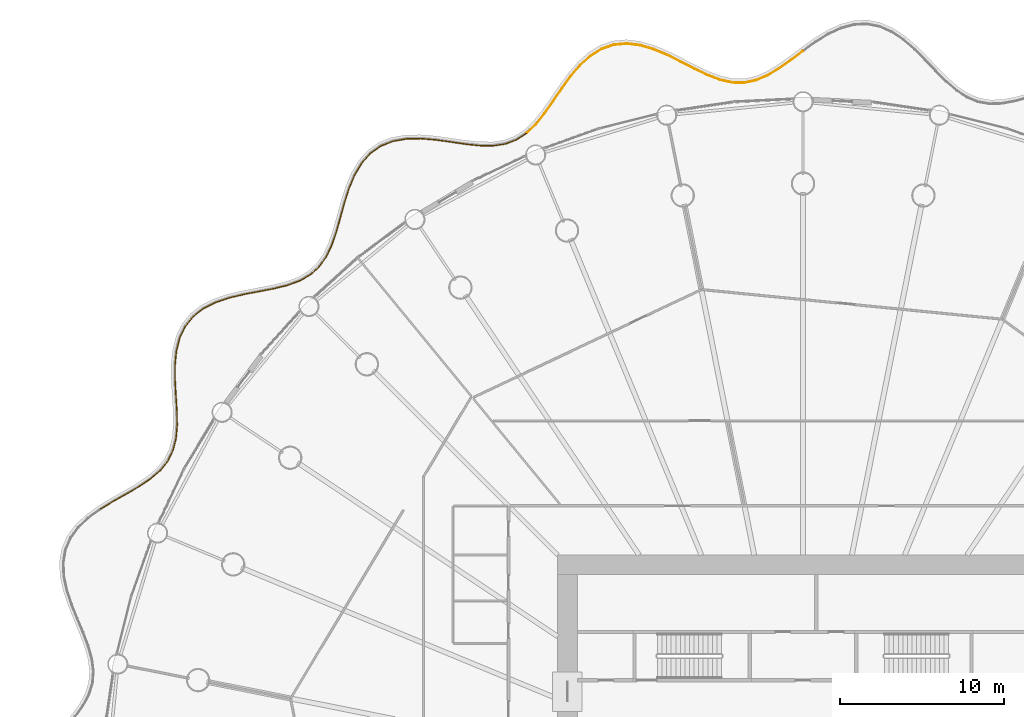
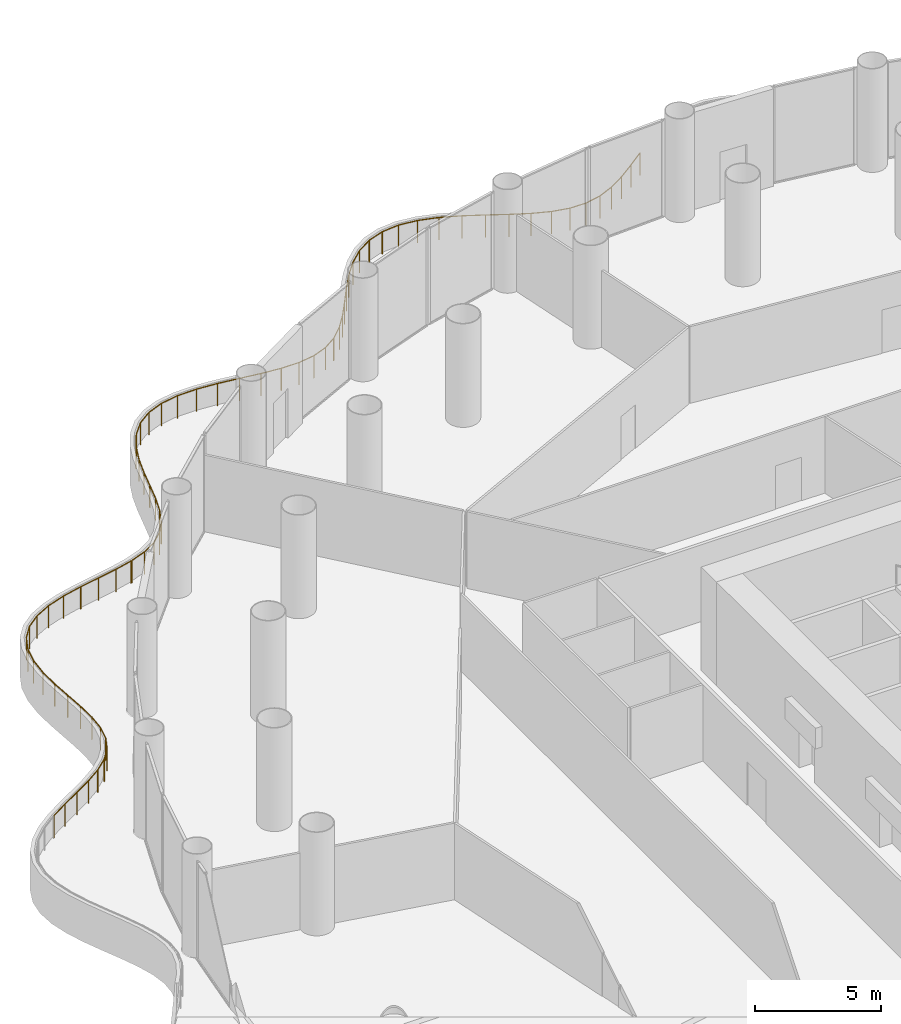
# One storey, part 34 of 35: 3 railings.
"""IFC4 building model written with IfcOpenShell, lengths in metres."""

from ifc_helpers import new_model, si_unit, direction, frame, origin, origin_2d, place, context, subcontext, project, spatial, circle, extrude, material, type_object, element, save


model = new_model("IFC4")

# Units and contexts
model_context = context("Model", 3, precision=1e-05, world=origin(), true_north=direction((0.0, 1.0)))
body_context = subcontext(model_context, "Body", "Model", "MODEL_VIEW")
ifc_project = project(units=[si_unit("LENGTHUNIT", "METRE"), si_unit("AREAUNIT", "SQUARE_METRE"), si_unit("VOLUMEUNIT", "CUBIC_METRE"), si_unit("PLANEANGLEUNIT", "RADIAN"), si_unit("MASSUNIT", "GRAM", prefix="KILO")], contexts=[model_context])

# Site, building, storey
site_placement = place(None, origin())
site = spatial("IfcSite", under=ifc_project, at=site_placement, CompositionType="ELEMENT")
building_placement = place(site_placement, origin())
building = spatial("IfcBuilding", under=site, at=building_placement, Name="Corvane Civic Tower", CompositionType="ELEMENT")
storey_placement = place(building_placement, frame((0.0, 0.0, 22.0)))
storey = spatial("IfcBuildingStorey", under=building, at=storey_placement, Name="L04", CompositionType="ELEMENT", Elevation=22.0)

# Railings
ifc_material = material(Name="Steel ASTM A572 Gr 50", Category="steel")
railing_type = type_object("IfcRailingType", Name="PODIUM-RL-GUARD-1100", PredefinedType="GUARDRAIL", material=ifc_material)
railing_1_placement = place(storey_placement, frame((-0.02001953125, 45.794921875, 0.0)))
element("IfcRailing", 1, at=railing_1_placement, inside=storey, type_object=railing_type, Name="L04 ribbon guard 1", PredefinedType="GUARDRAIL", context=body_context, shape_type="SweptSolid", body=[
    extrude(circle(Radius=0.02392578125, at=origin_2d()), frame((0.0, 0.0, 1.076171875), z_axis=(-0.799381958115, -0.600823172856, 0.0), x_axis=(0.600823172856, -0.799381958115, 0.0)), (0.0, 0.0, 1.0), 0.9013671875),
    extrude(circle(Radius=0.02392578125, at=origin_2d()), frame((-0.720458984375, -0.54150390625, 1.076171875), z_axis=(-0.814456442371, -0.580224700853, 0.0), x_axis=(0.580224700853, -0.814456442371, 0.0)), (0.0, 0.0, 1.0), 0.88916015625),
    extrude(circle(Radius=0.02392578125, at=origin_2d()), frame((-1.444580078125, -1.057373046875, 1.076171875), z_axis=(-0.857778206672, -0.514019988092, 0.0), x_axis=(0.514019988092, -0.857778206672, 0.0)), (0.0, 0.0, 1.0), 0.830322265625),
    extrude(circle(Radius=0.02392578125, at=origin_2d()), frame((-2.15673828125, -1.484130859375, 1.076171875), z_axis=(-0.920796194631, -0.390044058988, 0.0), x_axis=(0.390044058988, -0.920796194631, 0.0)), (0.0, 0.0, 1.0), 0.7685546875),
    extrude(circle(Radius=0.02392578125, at=origin_2d()), frame((-2.864501953125, -1.783935546875, 1.076171875), z_axis=(-0.979094755526, -0.203404669814, 0.0), x_axis=(0.203404669814, -0.979094755526, 0.0)), (0.0, 0.0, 1.0), 0.727294921875),
    extrude(circle(Radius=0.02392578125, at=origin_2d()), frame((-3.57666015625, -1.931884765625, 1.076171875), z_axis=(-0.999858130254, 0.016843971197, 0.0), x_axis=(-0.016843971197, -0.999858130254, 0.0)), (0.0, 0.0, 1.0), 0.724609375),
    extrude(circle(Radius=0.02392578125, at=origin_2d()), frame((-4.30126953125, -1.919677734375, 1.076171875), z_axis=(-0.976539607514, 0.215337862338, 0.0), x_axis=(-0.215337862338, -0.976539607514, 0.0)), (0.0, 0.0, 1.0), 0.762939453125),
    extrude(circle(Radius=0.02392578125, at=origin_2d()), frame((-5.04638671875, -1.75537109375, 1.076171875), z_axis=(-0.93493311028, 0.354824011733, 0.0), x_axis=(-0.354824011733, -0.93493311028, 0.0)), (0.0, 0.0, 1.0), 0.82373046875),
    extrude(circle(Radius=0.02392578125, at=origin_2d()), frame((-5.81640625, -1.463134765625, 1.076171875), z_axis=(-0.901389341035, 0.433009533231, 0.0), x_axis=(-0.433009533231, -0.901389341035, 0.0)), (0.0, 0.0, 1.0), 0.883544921875),
    extrude(circle(Radius=0.02392578125, at=origin_2d()), frame((-6.61279296875, -1.08056640625, 1.076171875), z_axis=(-0.887450345084, 0.460903335863, 0.0), x_axis=(-0.460903335863, -0.887450345084, 0.0)), (0.0, 0.0, 1.0), 0.923828125),
    extrude(circle(Radius=0.02392578125, at=origin_2d()), frame((-7.4326171875, -0.65478515625, 1.076171875), z_axis=(-0.895417863206, 0.44522674027, 0.0), x_axis=(-0.44522674027, -0.895417863206, 0.0)), (0.0, 0.0, 1.0), 0.934326171875),
    extrude(circle(Radius=0.02392578125, at=origin_2d()), frame((-8.269287109375, -0.23876953125, 1.076171875), z_axis=(-0.921776053286, 0.38772271998, 0.0), x_axis=(-0.38772271998, -0.921776053286, 0.0)), (0.0, 0.0, 1.0), 0.914306640625),
    extrude(circle(Radius=0.02392578125, at=origin_2d()), frame((-9.112060546875, 0.11572265625, 1.076171875), z_axis=(-0.959663722222, 0.281150387251, 0.0), x_axis=(-0.281150387251, -0.959663722222, 0.0)), (0.0, 0.0, 1.0), 0.871826171875),
    extrude(circle(Radius=0.02392578125, at=origin_2d()), frame((-9.94873046875, 0.36083984375, 1.076171875), z_axis=(-0.992847296115, 0.119391149578, 0.0), x_axis=(-0.119391149578, -0.992847296115, 0.0)), (0.0, 0.0, 1.0), 0.822021484375),
    extrude(circle(Radius=0.02392578125, at=origin_2d()), frame((-10.764892578125, 0.458984375, 1.076171875), z_axis=(-0.995710533683, -0.092523149061, 0.0), x_axis=(0.092523149061, -0.995710533683, 0.0)), (0.0, 0.0, 1.0), 0.786376953125),
    extrude(circle(Radius=0.02392578125, at=origin_2d()), frame((-11.5478515625, 0.38623046875, 1.076171875), z_axis=(-0.946151380066, -0.323724521775, 0.0), x_axis=(0.323724521775, -0.946151380066, 0.0)), (0.0, 0.0, 1.0), 0.780517578125),
    extrude(circle(Radius=0.02392578125, at=origin_2d()), frame((-12.286376953125, 0.133544921875, 1.076171875), z_axis=(-0.851004426203, -0.525158515673, 0.0), x_axis=(0.525158515673, -0.851004426203, 0.0)), (0.0, 0.0, 1.0), 0.808349609375),
    extrude(circle(Radius=0.02392578125, at=origin_2d()), frame((-12.974365234375, -0.291015625, 1.076171875), z_axis=(-0.742001929624, -0.67039774495, 0.0), x_axis=(0.67039774495, -0.742001929624, 0.0)), (0.0, 0.0, 1.0), 0.855712890625),
    extrude(circle(Radius=0.02392578125, at=origin_2d()), frame((-13.609375, -0.86474609375, 1.076171875), z_axis=(-0.649632433378, -0.760248447222, 0.0), x_axis=(0.760248447222, -0.649632433378, 0.0)), (0.0, 0.0, 1.0), 0.902587890625),
    extrude(circle(Radius=0.02392578125, at=origin_2d()), frame((-14.19580078125, -1.551025390625, 1.076171875), z_axis=(-0.587470057743, -0.809245902835, 0.0), x_axis=(0.809245902835, -0.587470057743, 0.0)), (0.0, 0.0, 1.0), 0.931396484375),
    extrude(circle(Radius=0.02392578125, at=origin_2d()), frame((-14.742919921875, -2.3046875, 1.076171875), z_axis=(-0.561642539914, -0.827379995745, 0.0), x_axis=(0.827379995745, -0.561642539914, 0.0)), (0.0, 0.0, 1.0), 0.9306640625),
    extrude(circle(Radius=0.02392578125, at=origin_2d()), frame((-15.265625, -3.07470703125, 1.076171875), z_axis=(-0.574100087846, -0.818785130016, 0.0), x_axis=(0.818785130016, -0.574100087846, 0.0)), (0.0, 0.0, 1.0), 0.89892578125),
    extrude(circle(Radius=0.02392578125, at=origin_2d()), frame((-15.78173828125, -3.810791015625, 1.076171875), z_axis=(-0.628006969179, -0.778207714343, 0.0), x_axis=(0.778207714343, -0.628006969179, 0.0)), (0.0, 0.0, 1.0), 0.843505859375),
    extrude(circle(Radius=0.02392578125, at=origin_2d()), frame((-16.3115234375, -4.46728515625, 1.076171875), z_axis=(-0.720864108813, -0.693076429137, 0.0), x_axis=(0.693076429137, -0.720864108813, 0.0)), (0.0, 0.0, 1.0), 0.755615234375),
    extrude(circle(Radius=0.02099609375, at=origin_2d()), origin(), (0.0, 0.0, 1.0), 1.052001953125),
    extrude(circle(Radius=0.02099609375, at=origin_2d()), frame((-0.720458984375, -0.54150390625, 0.0)), (0.0, 0.0, 1.0), 1.052001953125),
    extrude(circle(Radius=0.02099609375, at=origin_2d()), frame((-1.444580078125, -1.057373046875, 0.0)), (0.0, 0.0, 1.0), 1.052001953125),
    extrude(circle(Radius=0.02099609375, at=origin_2d()), frame((-2.15673828125, -1.484130859375, 0.0)), (0.0, 0.0, 1.0), 1.052001953125),
    extrude(circle(Radius=0.02099609375, at=origin_2d()), frame((-2.864501953125, -1.783935546875, 0.0)), (0.0, 0.0, 1.0), 1.052001953125),
    extrude(circle(Radius=0.02099609375, at=origin_2d()), frame((-3.57666015625, -1.931884765625, 0.0)), (0.0, 0.0, 1.0), 1.052001953125),
    extrude(circle(Radius=0.02099609375, at=origin_2d()), frame((-4.30126953125, -1.919677734375, 0.0)), (0.0, 0.0, 1.0), 1.052001953125),
    extrude(circle(Radius=0.02099609375, at=origin_2d()), frame((-5.04638671875, -1.75537109375, 0.0)), (0.0, 0.0, 1.0), 1.052001953125),
    extrude(circle(Radius=0.02099609375, at=origin_2d()), frame((-5.81640625, -1.463134765625, 0.0)), (0.0, 0.0, 1.0), 1.052001953125),
    extrude(circle(Radius=0.02099609375, at=origin_2d()), frame((-6.61279296875, -1.08056640625, 0.0)), (0.0, 0.0, 1.0), 1.052001953125),
    extrude(circle(Radius=0.02099609375, at=origin_2d()), frame((-7.4326171875, -0.65478515625, 0.0)), (0.0, 0.0, 1.0), 1.052001953125),
    extrude(circle(Radius=0.02099609375, at=origin_2d()), frame((-8.269287109375, -0.23876953125, 0.0)), (0.0, 0.0, 1.0), 1.052001953125),
    extrude(circle(Radius=0.02099609375, at=origin_2d()), frame((-9.112060546875, 0.11572265625, 0.0)), (0.0, 0.0, 1.0), 1.052001953125),
    extrude(circle(Radius=0.02099609375, at=origin_2d()), frame((-9.94873046875, 0.36083984375, 0.0)), (0.0, 0.0, 1.0), 1.052001953125),
    extrude(circle(Radius=0.02099609375, at=origin_2d()), frame((-10.764892578125, 0.458984375, 0.0)), (0.0, 0.0, 1.0), 1.052001953125),
    extrude(circle(Radius=0.02099609375, at=origin_2d()), frame((-11.5478515625, 0.38623046875, 0.0)), (0.0, 0.0, 1.0), 1.052001953125),
    extrude(circle(Radius=0.02099609375, at=origin_2d()), frame((-12.286376953125, 0.133544921875, 0.0)), (0.0, 0.0, 1.0), 1.052001953125),
    extrude(circle(Radius=0.02099609375, at=origin_2d()), frame((-12.974365234375, -0.291015625, 0.0)), (0.0, 0.0, 1.0), 1.052001953125),
    extrude(circle(Radius=0.02099609375, at=origin_2d()), frame((-13.609375, -0.86474609375, 0.0)), (0.0, 0.0, 1.0), 1.052001953125),
    extrude(circle(Radius=0.02099609375, at=origin_2d()), frame((-14.19580078125, -1.551025390625, 0.0)), (0.0, 0.0, 1.0), 1.052001953125),
    extrude(circle(Radius=0.02099609375, at=origin_2d()), frame((-14.742919921875, -2.3046875, 0.0)), (0.0, 0.0, 1.0), 1.052001953125),
    extrude(circle(Radius=0.02099609375, at=origin_2d()), frame((-15.265625, -3.07470703125, 0.0)), (0.0, 0.0, 1.0), 1.052001953125),
    extrude(circle(Radius=0.02099609375, at=origin_2d()), frame((-15.78173828125, -3.810791015625, 0.0)), (0.0, 0.0, 1.0), 1.052001953125),
    extrude(circle(Radius=0.02099609375, at=origin_2d()), frame((-16.3115234375, -4.46728515625, 0.0)), (0.0, 0.0, 1.0), 1.052001953125),
    extrude(circle(Radius=0.02099609375, at=origin_2d()), frame((-16.856201171875, -4.990966796875, 0.0)), (0.0, 0.0, 1.0), 1.052001953125),
])
railing_2_placement = place(storey_placement, frame((-16.915283203125, 40.77294921875, 0.0)))
element("IfcRailing", 2, at=railing_2_placement, inside=storey, type_object=railing_type, Name="L04 ribbon guard 2", PredefinedType="GUARDRAIL", context=body_context, shape_type="SweptSolid", body=[
    extrude(circle(Radius=0.02392578125, at=origin_2d()), frame((0.0, 0.0, 1.076171875), z_axis=(-0.836112155797, -0.548558531907, 0.0), x_axis=(0.548558531907, -0.836112155797, 0.0)), (0.0, 0.0, 1.0), 0.7080078125),
    extrude(circle(Radius=0.02392578125, at=origin_2d()), frame((-0.592041015625, -0.388427734375, 1.076171875), z_axis=(-0.935688132565, -0.352828171462, 0.0), x_axis=(0.352828171462, -0.935688132565, 0.0)), (0.0, 0.0, 1.0), 0.7216796875),
    extrude(circle(Radius=0.02392578125, at=origin_2d()), frame((-1.267333984375, -0.64306640625, 1.076171875), z_axis=(-0.988498908291, -0.151228001071, 0.0), x_axis=(0.151228001071, -0.988498908291, 0.0)), (0.0, 0.0, 1.0), 0.752197265625),
    extrude(circle(Radius=0.02392578125, at=origin_2d()), frame((-2.010986328125, -0.7568359375, 1.076171875), z_axis=(-0.99997997176, 0.006328987163, 0.0), x_axis=(-0.006328987163, -0.99997997176, 0.0)), (0.0, 0.0, 1.0), 0.81005859375),
    extrude(circle(Radius=0.02392578125, at=origin_2d()), frame((-2.821044921875, -0.751708984375, 1.076171875), z_axis=(-0.994592536379, 0.103854160145, 0.0), x_axis=(-0.103854160145, -0.994592536379, 0.0)), (0.0, 0.0, 1.0), 0.8720703125),
    extrude(circle(Radius=0.02392578125, at=origin_2d()), frame((-3.6884765625, -0.6611328125, 1.076171875), z_axis=(-0.989388407439, 0.145294801093, 0.0), x_axis=(-0.145294801093, -0.989388407439, 0.0)), (0.0, 0.0, 1.0), 0.91748046875),
    extrude(circle(Radius=0.02392578125, at=origin_2d()), frame((-4.59619140625, -0.52783203125, 1.076171875), z_axis=(-0.990414035731, 0.138130510124, 0.0), x_axis=(-0.138130510124, -0.990414035731, 0.0)), (0.0, 0.0, 1.0), 0.93505859375),
    extrude(circle(Radius=0.02392578125, at=origin_2d()), frame((-5.522216796875, -0.398681640625, 1.076171875), z_axis=(-0.996416573236, 0.084581396185, 0.0), x_axis=(-0.084581396185, -0.996416573236, 0.0)), (0.0, 0.0, 1.0), 0.9208984375),
    extrude(circle(Radius=0.02392578125, at=origin_2d()), frame((-6.439697265625, -0.32080078125, 1.076171875), z_axis=(-0.999843060515, -0.017715934627, 0.0), x_axis=(0.017715934627, -0.999843060515, 0.0)), (0.0, 0.0, 1.0), 0.882080078125),
    extrude(circle(Radius=0.02392578125, at=origin_2d()), frame((-7.321533203125, -0.33642578125, 1.076171875), z_axis=(-0.985261242939, -0.171056374221, 0.0), x_axis=(0.171056374221, -0.985261242939, 0.0)), (0.0, 0.0, 1.0), 0.83203125),
    extrude(circle(Radius=0.02392578125, at=origin_2d()), frame((-8.141357421875, -0.478759765625, 1.076171875), z_axis=(-0.93031592325, -0.36675916205, 0.0), x_axis=(0.36675916205, -0.93031592325, 0.0)), (0.0, 0.0, 1.0), 0.79150390625),
    extrude(circle(Radius=0.02392578125, at=origin_2d()), frame((-8.877685546875, -0.76904296875, 1.076171875), z_axis=(-0.819599865422, -0.572936349519, 0.0), x_axis=(0.572936349519, -0.819599865422, 0.0)), (0.0, 0.0, 1.0), 0.779052734375),
    extrude(circle(Radius=0.02392578125, at=origin_2d()), frame((-9.51611328125, -1.21533203125, 1.076171875), z_axis=(-0.667784085186, -0.744355033282, 0.0), x_axis=(0.744355033282, -0.667784085186, 0.0)), (0.0, 0.0, 1.0), 0.80029296875),
    extrude(circle(Radius=0.02392578125, at=origin_2d()), frame((-10.050537109375, -1.81103515625, 1.076171875), z_axis=(-0.513518536893, -0.858078500061, 0.0), x_axis=(0.858078500061, -0.513518536893, 0.0)), (0.0, 0.0, 1.0), 0.84521484375),
    extrude(circle(Radius=0.02392578125, at=origin_2d()), frame((-10.484619140625, -2.536376953125, 1.076171875), z_axis=(-0.38870412864, -0.921362632398, 0.0), x_axis=(0.921362632398, -0.38870412864, 0.0)), (0.0, 0.0, 1.0), 0.893798828125),
    extrude(circle(Radius=0.02392578125, at=origin_2d()), frame((-10.83203125, -3.35986328125, 1.076171875), z_axis=(-0.305148278074, -0.952304850554, 0.0), x_axis=(0.952304850554, -0.305148278074, 0.0)), (0.0, 0.0, 1.0), 0.92724609375),
    extrude(circle(Radius=0.02392578125, at=origin_2d()), frame((-11.114990234375, -4.242919921875, 1.076171875), z_axis=(-0.265174717502, -0.964200378136, 0.0), x_axis=(0.964200378136, -0.265174717502, 0.0)), (0.0, 0.0, 1.0), 0.93359375),
    extrude(circle(Radius=0.02392578125, at=origin_2d()), frame((-11.362548828125, -5.14306640625, 1.076171875), z_axis=(-0.27020829344, -0.962801889361, 0.0), x_axis=(0.962801889361, -0.27020829344, 0.0)), (0.0, 0.0, 1.0), 0.907958984375),
    extrude(circle(Radius=0.02392578125, at=origin_2d()), frame((-11.60791015625, -6.017333984375, 1.076171875), z_axis=(-0.323486238815, -0.946232874771, 0.0), x_axis=(0.946232874771, -0.323486238815, 0.0)), (0.0, 0.0, 1.0), 0.856689453125),
    extrude(circle(Radius=0.02392578125, at=origin_2d()), frame((-11.885009765625, -6.827880859375, 1.076171875), z_axis=(-0.428284722671, -0.903643843739, 0.0), x_axis=(0.903643843739, -0.428284722671, 0.0)), (0.0, 0.0, 1.0), 0.79345703125),
    extrude(circle(Radius=0.02392578125, at=origin_2d()), frame((-12.224853515625, -7.544921875, 1.076171875), z_axis=(-0.57820939939, -0.815888405639, 0.0), x_axis=(0.815888405639, -0.57820939939, 0.0)), (0.0, 0.0, 1.0), 0.74072265625),
    extrude(circle(Radius=0.02392578125, at=origin_2d()), frame((-12.653076171875, -8.149169921875, 1.076171875), z_axis=(-0.739694707846, -0.672942597243, 0.0), x_axis=(0.672942597243, -0.739694707846, 0.0)), (0.0, 0.0, 1.0), 0.720458984375),
    extrude(circle(Radius=0.02392578125, at=origin_2d()), frame((-13.18603515625, -8.634033203125, 1.076171875), z_axis=(-0.866070652979, -0.499921617905, 0.0), x_axis=(0.499921617905, -0.866070652979, 0.0)), (0.0, 0.0, 1.0), 0.74267578125),
    extrude(circle(Radius=0.02392578125, at=origin_2d()), frame((-13.829345703125, -9.00537109375, 1.076171875), z_axis=(-0.938596626337, -0.345016482255, 0.0), x_axis=(0.345016482255, -0.938596626337, 0.0)), (0.0, 0.0, 1.0), 0.77197265625),
    extrude(circle(Radius=0.02099609375, at=origin_2d()), origin(), (0.0, 0.0, 1.0), 1.052001953125),
    extrude(circle(Radius=0.02099609375, at=origin_2d()), frame((-0.592041015625, -0.388427734375, 0.0)), (0.0, 0.0, 1.0), 1.052001953125),
    extrude(circle(Radius=0.02099609375, at=origin_2d()), frame((-1.267333984375, -0.64306640625, 0.0)), (0.0, 0.0, 1.0), 1.052001953125),
    extrude(circle(Radius=0.02099609375, at=origin_2d()), frame((-2.010986328125, -0.7568359375, 0.0)), (0.0, 0.0, 1.0), 1.052001953125),
    extrude(circle(Radius=0.02099609375, at=origin_2d()), frame((-2.821044921875, -0.751708984375, 0.0)), (0.0, 0.0, 1.0), 1.052001953125),
    extrude(circle(Radius=0.02099609375, at=origin_2d()), frame((-3.6884765625, -0.6611328125, 0.0)), (0.0, 0.0, 1.0), 1.052001953125),
    extrude(circle(Radius=0.02099609375, at=origin_2d()), frame((-4.59619140625, -0.52783203125, 0.0)), (0.0, 0.0, 1.0), 1.052001953125),
    extrude(circle(Radius=0.02099609375, at=origin_2d()), frame((-5.522216796875, -0.398681640625, 0.0)), (0.0, 0.0, 1.0), 1.052001953125),
    extrude(circle(Radius=0.02099609375, at=origin_2d()), frame((-6.439697265625, -0.32080078125, 0.0)), (0.0, 0.0, 1.0), 1.052001953125),
    extrude(circle(Radius=0.02099609375, at=origin_2d()), frame((-7.321533203125, -0.33642578125, 0.0)), (0.0, 0.0, 1.0), 1.052001953125),
    extrude(circle(Radius=0.02099609375, at=origin_2d()), frame((-8.141357421875, -0.478759765625, 0.0)), (0.0, 0.0, 1.0), 1.052001953125),
    extrude(circle(Radius=0.02099609375, at=origin_2d()), frame((-8.877685546875, -0.76904296875, 0.0)), (0.0, 0.0, 1.0), 1.052001953125),
    extrude(circle(Radius=0.02099609375, at=origin_2d()), frame((-9.51611328125, -1.21533203125, 0.0)), (0.0, 0.0, 1.0), 1.052001953125),
    extrude(circle(Radius=0.02099609375, at=origin_2d()), frame((-10.050537109375, -1.81103515625, 0.0)), (0.0, 0.0, 1.0), 1.052001953125),
    extrude(circle(Radius=0.02099609375, at=origin_2d()), frame((-10.484619140625, -2.536376953125, 0.0)), (0.0, 0.0, 1.0), 1.052001953125),
    extrude(circle(Radius=0.02099609375, at=origin_2d()), frame((-10.83203125, -3.35986328125, 0.0)), (0.0, 0.0, 1.0), 1.052001953125),
    extrude(circle(Radius=0.02099609375, at=origin_2d()), frame((-11.114990234375, -4.242919921875, 0.0)), (0.0, 0.0, 1.0), 1.052001953125),
    extrude(circle(Radius=0.02099609375, at=origin_2d()), frame((-11.362548828125, -5.14306640625, 0.0)), (0.0, 0.0, 1.0), 1.052001953125),
    extrude(circle(Radius=0.02099609375, at=origin_2d()), frame((-11.60791015625, -6.017333984375, 0.0)), (0.0, 0.0, 1.0), 1.052001953125),
    extrude(circle(Radius=0.02099609375, at=origin_2d()), frame((-11.885009765625, -6.827880859375, 0.0)), (0.0, 0.0, 1.0), 1.052001953125),
    extrude(circle(Radius=0.02099609375, at=origin_2d()), frame((-12.224853515625, -7.544921875, 0.0)), (0.0, 0.0, 1.0), 1.052001953125),
    extrude(circle(Radius=0.02099609375, at=origin_2d()), frame((-12.653076171875, -8.149169921875, 0.0)), (0.0, 0.0, 1.0), 1.052001953125),
    extrude(circle(Radius=0.02099609375, at=origin_2d()), frame((-13.18603515625, -8.634033203125, 0.0)), (0.0, 0.0, 1.0), 1.052001953125),
    extrude(circle(Radius=0.02099609375, at=origin_2d()), frame((-13.829345703125, -9.00537109375, 0.0)), (0.0, 0.0, 1.0), 1.052001953125),
    extrude(circle(Radius=0.02099609375, at=origin_2d()), frame((-14.553955078125, -9.271728515625, 0.0)), (0.0, 0.0, 1.0), 1.052001953125),
])
railing_3_placement = place(storey_placement, frame((-31.516845703125, 31.48681640625, 0.0)))
element("IfcRailing", 3, at=railing_3_placement, inside=storey, type_object=railing_type, Name="L04 ribbon guard 3", PredefinedType="GUARDRAIL", context=body_context, shape_type="SweptSolid", body=[
    extrude(circle(Radius=0.02392578125, at=origin_2d()), frame((0.0, 0.0, 1.076171875), z_axis=(-0.970741675092, -0.24012621731, 0.0), x_axis=(0.24012621731, -0.970741675092, 0.0)), (0.0, 0.0, 1.0), 0.834716796875),
    extrude(circle(Radius=0.02392578125, at=origin_2d()), frame((-0.810302734375, -0.200439453125, 1.076171875), z_axis=(-0.9821077169, -0.188320026567, 0.0), x_axis=(0.188320026567, -0.9821077169, 0.0)), (0.0, 0.0, 1.0), 0.91015625),
    extrude(circle(Radius=0.02392578125, at=origin_2d()), frame((-1.7041015625, -0.371826171875, 1.076171875), z_axis=(-0.982577987105, -0.185850744568, 0.0), x_axis=(0.185850744568, -0.982577987105, 0.0)), (0.0, 0.0, 1.0), 0.93408203125),
    extrude(circle(Radius=0.02392578125, at=origin_2d()), frame((-2.621826171875, -0.54541015625, 1.076171875), z_axis=(-0.973472452601, -0.228804248269, 0.0), x_axis=(0.228804248269, -0.973472452601, 0.0)), (0.0, 0.0, 1.0), 0.92626953125),
    extrude(circle(Radius=0.02392578125, at=origin_2d()), frame((-3.5234375, -0.75732421875, 1.076171875), z_axis=(-0.948491454039, -0.316802717183, 0.0), x_axis=(0.316802717183, -0.948491454039, 0.0)), (0.0, 0.0, 1.0), 0.8916015625),
    extrude(circle(Radius=0.02392578125, at=origin_2d()), frame((-4.369140625, -1.039794921875, 1.076171875), z_axis=(-0.893439715257, -0.449183119899, 0.0), x_axis=(0.449183119899, -0.893439715257, 0.0)), (0.0, 0.0, 1.0), 0.842529296875),
    extrude(circle(Radius=0.02392578125, at=origin_2d()), frame((-5.121826171875, -1.418212890625, 1.076171875), z_axis=(-0.790059622906, -0.61303000926, 0.0), x_axis=(0.61303000926, -0.790059622906, 0.0)), (0.0, 0.0, 1.0), 0.798583984375),
    extrude(circle(Radius=0.02392578125, at=origin_2d()), frame((-5.752685546875, -1.90771484375, 1.076171875), z_axis=(-0.629044862089, -0.777368999561, 0.0), x_axis=(0.777368999561, -0.629044862089, 0.0)), (0.0, 0.0, 1.0), 0.778564453125),
    extrude(circle(Radius=0.02392578125, at=origin_2d()), frame((-6.242431640625, -2.512939453125, 1.076171875), z_axis=(-0.431760372799, -0.901988348306, 0.0), x_axis=(0.901988348306, -0.431760372799, 0.0)), (0.0, 0.0, 1.0), 0.793212890625),
    extrude(circle(Radius=0.02392578125, at=origin_2d()), frame((-6.5849609375, -3.228515625, 1.076171875), z_axis=(-0.242742062121, -0.970090867536, 0.0), x_axis=(0.970090867536, -0.242742062121, 0.0)), (0.0, 0.0, 1.0), 0.834716796875),
    extrude(circle(Radius=0.02392578125, at=origin_2d()), frame((-6.78759765625, -4.038330078125, 1.076171875), z_axis=(-0.093323602444, -0.995635829622, 0.0), x_axis=(0.995635829622, -0.093323602444, 0.0)), (0.0, 0.0, 1.0), 0.88427734375),
    extrude(circle(Radius=0.02392578125, at=origin_2d()), frame((-6.8701171875, -4.918701171875, 1.076171875), z_axis=(0.005823088143, -0.999983045679, 0.0), x_axis=(0.999983045679, 0.005823088143, 0.0)), (0.0, 0.0, 1.0), 0.92236328125),
    extrude(circle(Radius=0.02392578125, at=origin_2d()), frame((-6.86474609375, -5.841064453125, 1.076171875), z_axis=(0.057206008529, -0.99836239542, 0.0), x_axis=(0.99836239542, 0.057206008529, 0.0)), (0.0, 0.0, 1.0), 0.9345703125),
    extrude(circle(Radius=0.02392578125, at=origin_2d()), frame((-6.811279296875, -6.774169921875, 1.076171875), z_axis=(0.062378286155, -0.998052578483, 0.0), x_axis=(0.998052578483, 0.062378286155, 0.0)), (0.0, 0.0, 1.0), 0.915771484375),
    extrude(circle(Radius=0.02392578125, at=origin_2d()), frame((-6.754150390625, -7.688232421875, 1.076171875), z_axis=(0.017698828856, -0.999843363461, 0.0), x_axis=(0.999843363461, 0.017698828856, 0.0)), (0.0, 0.0, 1.0), 0.869140625),
    extrude(circle(Radius=0.02392578125, at=origin_2d()), frame((-6.73876953125, -8.55712890625, 1.076171875), z_axis=(-0.082895253432, -0.996558265712, 0.0), x_axis=(0.996558265712, -0.082895253432, 0.0)), (0.0, 0.0, 1.0), 0.806884765625),
    extrude(circle(Radius=0.02392578125, at=origin_2d()), frame((-6.8056640625, -9.361328125, 1.076171875), z_axis=(-0.242305726645, -0.970199945802, 0.0), x_axis=(0.970199945802, -0.242305726645, 0.0)), (0.0, 0.0, 1.0), 0.749755859375),
    extrude(circle(Radius=0.02392578125, at=origin_2d()), frame((-6.9873046875, -10.088623046875, 1.076171875), z_axis=(-0.439343683405, -0.898319056823, 0.0), x_axis=(0.898319056823, -0.439343683405, 0.0)), (0.0, 0.0, 1.0), 0.72119140625),
    extrude(circle(Radius=0.02392578125, at=origin_2d()), frame((-7.30419921875, -10.736572265625, 1.076171875), z_axis=(-0.624330295783, -0.781160471201, 0.0), x_axis=(0.781160471201, -0.624330295783, 0.0)), (0.0, 0.0, 1.0), 0.73486328125),
    extrude(circle(Radius=0.02392578125, at=origin_2d()), frame((-7.762939453125, -11.310546875, 1.076171875), z_axis=(-0.755462994183, -0.655191318945, 0.0), x_axis=(0.655191318945, -0.755462994183, 0.0)), (0.0, 0.0, 1.0), 0.783935546875),
    extrude(circle(Radius=0.02392578125, at=origin_2d()), frame((-8.355224609375, -11.82421875, 1.076171875), z_axis=(-0.830316422617, -0.557292237819, 0.0), x_axis=(0.557292237819, -0.830316422617, 0.0)), (0.0, 0.0, 1.0), 0.846923828125),
    extrude(circle(Radius=0.02392578125, at=origin_2d()), frame((-9.058349609375, -12.296142578125, 1.076171875), z_axis=(-0.864299099321, -0.502978197254, 0.0), x_axis=(0.502978197254, -0.864299099321, 0.0)), (0.0, 0.0, 1.0), 0.9013671875),
    extrude(circle(Radius=0.02392578125, at=origin_2d()), frame((-9.83740234375, -12.74951171875, 1.076171875), z_axis=(-0.870748285656, -0.491729013814, 0.0), x_axis=(0.491729013814, -0.870748285656, 0.0)), (0.0, 0.0, 1.0), 0.931396484375),
    extrude(circle(Radius=0.02392578125, at=origin_2d()), frame((-10.6484375, -13.20751953125, 1.076171875), z_axis=(-0.853541712611, -0.521024514618, 0.0), x_axis=(0.521024514618, -0.853541712611, 0.0)), (0.0, 0.0, 1.0), 0.9052734375),
    extrude(circle(Radius=0.02099609375, at=origin_2d()), origin(), (0.0, 0.0, 1.0), 1.052001953125),
    extrude(circle(Radius=0.02099609375, at=origin_2d()), frame((-0.810302734375, -0.200439453125, 0.0)), (0.0, 0.0, 1.0), 1.052001953125),
    extrude(circle(Radius=0.02099609375, at=origin_2d()), frame((-1.7041015625, -0.371826171875, 0.0)), (0.0, 0.0, 1.0), 1.052001953125),
    extrude(circle(Radius=0.02099609375, at=origin_2d()), frame((-2.621826171875, -0.54541015625, 0.0)), (0.0, 0.0, 1.0), 1.052001953125),
    extrude(circle(Radius=0.02099609375, at=origin_2d()), frame((-3.5234375, -0.75732421875, 0.0)), (0.0, 0.0, 1.0), 1.052001953125),
    extrude(circle(Radius=0.02099609375, at=origin_2d()), frame((-4.369140625, -1.039794921875, 0.0)), (0.0, 0.0, 1.0), 1.052001953125),
    extrude(circle(Radius=0.02099609375, at=origin_2d()), frame((-5.121826171875, -1.418212890625, 0.0)), (0.0, 0.0, 1.0), 1.052001953125),
    extrude(circle(Radius=0.02099609375, at=origin_2d()), frame((-5.752685546875, -1.90771484375, 0.0)), (0.0, 0.0, 1.0), 1.052001953125),
    extrude(circle(Radius=0.02099609375, at=origin_2d()), frame((-6.242431640625, -2.512939453125, 0.0)), (0.0, 0.0, 1.0), 1.052001953125),
    extrude(circle(Radius=0.02099609375, at=origin_2d()), frame((-6.5849609375, -3.228515625, 0.0)), (0.0, 0.0, 1.0), 1.052001953125),
    extrude(circle(Radius=0.02099609375, at=origin_2d()), frame((-6.78759765625, -4.038330078125, 0.0)), (0.0, 0.0, 1.0), 1.052001953125),
    extrude(circle(Radius=0.02099609375, at=origin_2d()), frame((-6.8701171875, -4.918701171875, 0.0)), (0.0, 0.0, 1.0), 1.052001953125),
    extrude(circle(Radius=0.02099609375, at=origin_2d()), frame((-6.86474609375, -5.841064453125, 0.0)), (0.0, 0.0, 1.0), 1.052001953125),
    extrude(circle(Radius=0.02099609375, at=origin_2d()), frame((-6.811279296875, -6.774169921875, 0.0)), (0.0, 0.0, 1.0), 1.052001953125),
    extrude(circle(Radius=0.02099609375, at=origin_2d()), frame((-6.754150390625, -7.688232421875, 0.0)), (0.0, 0.0, 1.0), 1.052001953125),
    extrude(circle(Radius=0.02099609375, at=origin_2d()), frame((-6.73876953125, -8.55712890625, 0.0)), (0.0, 0.0, 1.0), 1.052001953125),
    extrude(circle(Radius=0.02099609375, at=origin_2d()), frame((-6.8056640625, -9.361328125, 0.0)), (0.0, 0.0, 1.0), 1.052001953125),
    extrude(circle(Radius=0.02099609375, at=origin_2d()), frame((-6.9873046875, -10.088623046875, 0.0)), (0.0, 0.0, 1.0), 1.052001953125),
    extrude(circle(Radius=0.02099609375, at=origin_2d()), frame((-7.30419921875, -10.736572265625, 0.0)), (0.0, 0.0, 1.0), 1.052001953125),
    extrude(circle(Radius=0.02099609375, at=origin_2d()), frame((-7.762939453125, -11.310546875, 0.0)), (0.0, 0.0, 1.0), 1.052001953125),
    extrude(circle(Radius=0.02099609375, at=origin_2d()), frame((-8.355224609375, -11.82421875, 0.0)), (0.0, 0.0, 1.0), 1.052001953125),
    extrude(circle(Radius=0.02099609375, at=origin_2d()), frame((-9.058349609375, -12.296142578125, 0.0)), (0.0, 0.0, 1.0), 1.052001953125),
    extrude(circle(Radius=0.02099609375, at=origin_2d()), frame((-9.83740234375, -12.74951171875, 0.0)), (0.0, 0.0, 1.0), 1.052001953125),
    extrude(circle(Radius=0.02099609375, at=origin_2d()), frame((-10.6484375, -13.20751953125, 0.0)), (0.0, 0.0, 1.0), 1.052001953125),
    extrude(circle(Radius=0.02099609375, at=origin_2d()), frame((-11.421142578125, -13.67919921875, 0.0)), (0.0, 0.0, 1.0), 1.052001953125),
])

save(model, "model.ifc")
